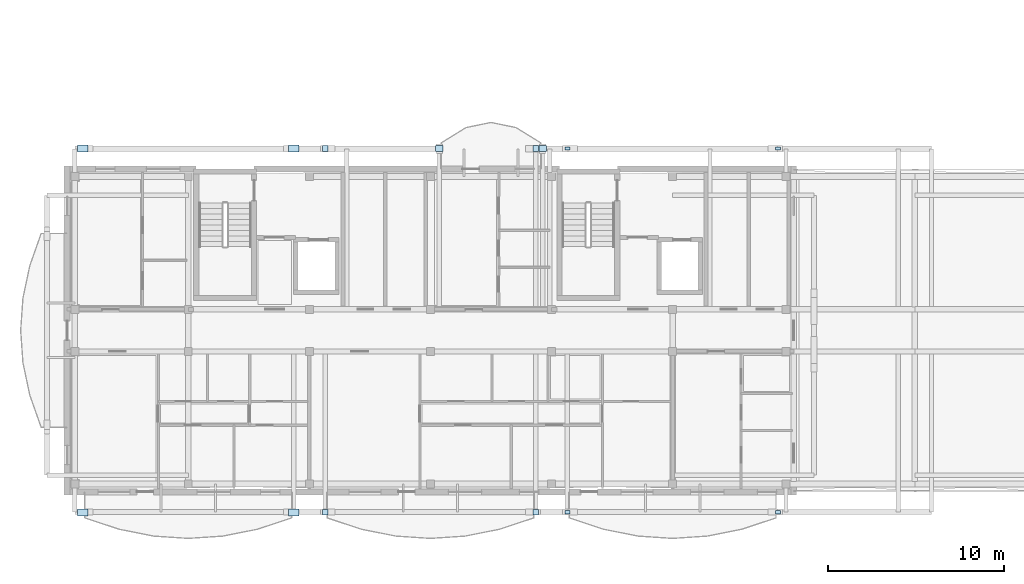
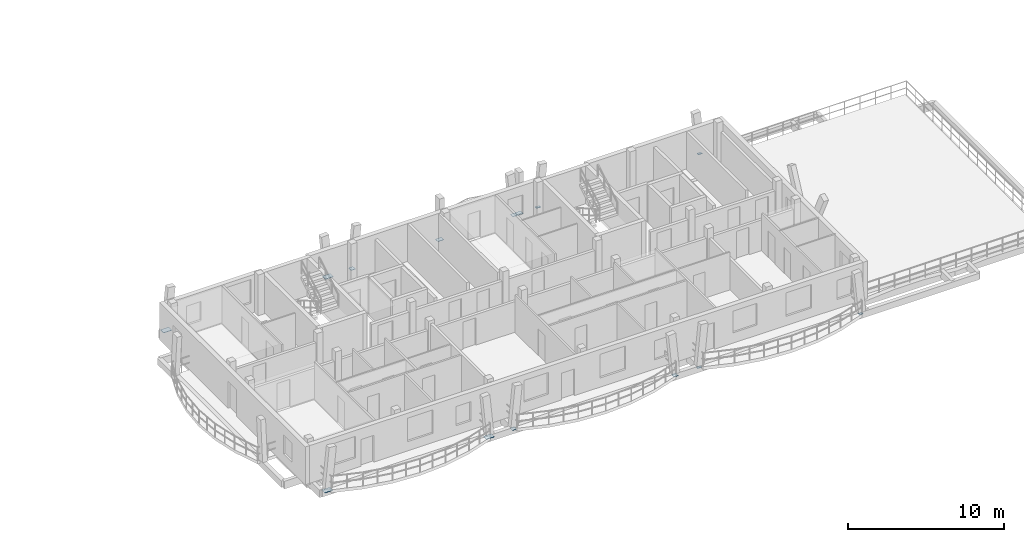
# One storey, part 10 of 33: 14 plates.
"""IFC4 building model written with IfcOpenShell, lengths in metres."""

import ifcopenshell
import ifcopenshell.guid

model = None  # the IFC model being written
_history = None  # IfcOwnerHistory: only IFC2X3 demands one
_inside = {}  # id of a spatial element -> (the spatial element, [elements in it])
_under = {}  # id of a project, library or spatial element -> (it, [spatial elements below it])
_declared = {}  # id of a project -> (the project, [libraries it declares])
_typed = {}  # id of a type object -> (the type object, [elements of that type])
_made_of = {}  # id of a material, layer set ... -> (it, [elements and type objects made of it])


def new_model(schema):
    """Start an empty IFC model of exactly this schema.

    Asked for "IFC4X3", IfcOpenShell would pick the latest addendum, in which some entities
    have other attributes; the version numbers below select the first issue.
    IFC2X3 requires an IfcOwnerHistory on every rooted entity: one is made here for all.
    """
    global model, _history
    if schema == "IFC4X3":
        model = ifcopenshell.file(schema_version=(4, 3, 0, 0))
    else:
        model = ifcopenshell.file(schema=schema)
    _inside.clear()
    _under.clear()
    _declared.clear()
    _typed.clear()
    _made_of.clear()
    _history = None
    if model.schema == "IFC2X3":
        org = make("IfcOrganization", Name="unknown")
        user = make(
            "IfcPersonAndOrganization",
            ThePerson=make("IfcPerson", FamilyName="unknown"),
            TheOrganization=org,
        )
        app = make(
            "IfcApplication",
            ApplicationDeveloper=org,
            Version="unknown",
            ApplicationFullName="unknown",
            ApplicationIdentifier="unknown",
        )
        _history = make(
            "IfcOwnerHistory",
            OwningUser=user,
            OwningApplication=app,
            ChangeAction="ADDED",
            CreationDate=0,
        )
    return model


def make(cls, **values):
    """One entity of the class cls with the attributes given. An attribute that is None is left unset."""
    return model.create_entity(
        cls, **{name: value for name, value in values.items() if value is not None}
    )


def rooted(cls, **values):
    """An entity with a GlobalId (a new one), such as an element, a storey or a relation."""
    return make(cls, GlobalId=ifcopenshell.guid.new(), OwnerHistory=_history, **values)


def si_unit(unit_type, name, prefix=None):
    """IfcSIUnit, for example si_unit("LENGTHUNIT", "METRE", prefix="MILLI")."""
    return make("IfcSIUnit", UnitType=unit_type, Prefix=prefix, Name=name)


def assignment(units):
    """IfcUnitAssignment: the units of a project."""
    return None if units is None else make("IfcUnitAssignment", Units=units)


def point(xyz):
    """IfcCartesianPoint."""
    return None if xyz is None else make("IfcCartesianPoint", Coordinates=xyz)


def direction(xyz):
    """IfcDirection."""
    return None if xyz is None else make("IfcDirection", DirectionRatios=xyz)


def frame(location, z_axis=None, x_axis=None):
    """IfcAxis2Placement3D, a coordinate frame: its origin and axes. An axis left out is left unset."""
    return make(
        "IfcAxis2Placement3D",
        Location=point(location),
        Axis=direction(z_axis),
        RefDirection=direction(x_axis),
    )


def frame_2d(location, x_axis=None):
    """IfcAxis2Placement2D, a coordinate frame in the plane: its origin and x axis."""
    return make(
        "IfcAxis2Placement2D", Location=point(location), RefDirection=direction(x_axis)
    )


def origin():
    """The frame at (0, 0, 0) with its axes left unset."""
    return frame((0.0, 0.0, 0.0))


def origin_2d():
    """The frame at (0, 0) in the plane with its x axis left unset."""
    return frame_2d((0.0, 0.0))


def place(relative_to, where):
    """IfcLocalPlacement: puts the frame where relative to a parent placement (None: the world)."""
    return make(
        "IfcLocalPlacement", PlacementRelTo=relative_to, RelativePlacement=where
    )


def context(
    kind, dimensions, precision=None, world=None, true_north=None, identifier=None
):
    """IfcGeometricRepresentationContext, for example the 3D "Model" context."""
    return make(
        "IfcGeometricRepresentationContext",
        ContextIdentifier=identifier,
        ContextType=kind,
        CoordinateSpaceDimension=dimensions,
        Precision=precision,
        WorldCoordinateSystem=world,
        TrueNorth=true_north,
    )


def subcontext(parent, identifier, kind, view, scale=None):
    """IfcGeometricRepresentationSubContext, for example "Body" below "Model"."""
    return make(
        "IfcGeometricRepresentationSubContext",
        ContextIdentifier=identifier,
        ContextType=kind,
        ParentContext=parent,
        TargetScale=scale,
        TargetView=view,
    )


def project(units=None, contexts=None):
    """IfcProject with its units and contexts."""
    return rooted(
        "IfcProject",
        Name="project",
        RepresentationContexts=contexts,
        UnitsInContext=assignment(units),
    )


def spatial(cls, under=None, at=None, **own):
    """A site, building, storey or space (cls), placed at a placement, below another one or the project."""
    s = rooted(cls, ObjectPlacement=at, **own)
    if under is not None:
        _under.setdefault(under.id(), (under, []))[1].append(s)
    return s


def profile(cls, at=None, kind="AREA", **sizes):
    """A parametric profile (cls). Its sizes go by their IFC names, for example OverallWidth=200.0."""
    return make(cls, ProfileType=kind, Position=at, **sizes)


def rectangle(**sizes):
    """IfcRectangleProfileDef."""
    return profile("IfcRectangleProfileDef", **sizes)


def extrude(swept, where, along, depth):
    """IfcExtrudedAreaSolid: the profile swept, set in the frame where, extruded along a direction by depth."""
    return make(
        "IfcExtrudedAreaSolid",
        SweptArea=swept,
        Position=where,
        ExtrudedDirection=direction(along),
        Depth=depth,
    )


def shape(context_of_items, identifier, shape_type, items):
    """IfcShapeRepresentation: the items that make up one representation, for example the "Body"."""
    return make(
        "IfcShapeRepresentation",
        ContextOfItems=context_of_items,
        RepresentationIdentifier=identifier,
        RepresentationType=shape_type,
        Items=items,
    )


def material(Name=None, Category=None):
    """IfcMaterial."""
    return make("IfcMaterial", Name=Name, Category=Category)


def layer(
    of_material, thickness, ventilated=None, Name=None, Category=None, Priority=None
):
    """IfcMaterialLayer: one layer of a wall or slab, of a material (None: an air gap)."""
    return make(
        "IfcMaterialLayer",
        Material=of_material,
        LayerThickness=thickness,
        IsVentilated=ventilated,
        Name=Name,
        Category=Category,
        Priority=Priority,
    )


def layer_set(layers, Name=None):
    """IfcMaterialLayerSet."""
    return make("IfcMaterialLayerSet", MaterialLayers=layers, LayerSetName=Name)


def made_of(thing, what):
    """Note that an element or type object is made of a material, layer set ...; save() writes the relation."""
    if what is not None:
        _made_of.setdefault(what.id(), (what, []))[1].append(thing)
    return thing


def type_object(cls, material=None, **own):
    """A type object (cls), such as IfcWallType, which elements share."""
    return made_of(rooted(cls, **own), material)


def element(
    cls,
    number,
    at=None,
    inside=None,
    cuts=None,
    type_object=None,
    material=None,
    context=None,
    identifier="Body",
    shape_type=None,
    held_by="IfcProductDefinitionShape",
    body=None,
    shapes=None,
    **own,
):
    """One element of the class cls, such as IfcWall. Its Tag is "e" and its number.

    at: its placement. inside: the storey or other place that contains it. cuts: it is an
    opening in that element (IfcRelVoidsElement). A single representation is given by context,
    identifier, shape_type and body (its items); several are given by shapes. held_by: the class
    of the entity that holds the representations. save() writes the other relations.
    """
    e = rooted(cls, Tag="e%d" % number, ObjectPlacement=at, **own)
    if body is not None:
        shapes = [shape(context, identifier, shape_type, body)]
    if shapes is not None:
        e.Representation = make(held_by, Representations=shapes)
    if inside is not None:
        _inside.setdefault(inside.id(), (inside, []))[1].append(e)
    if cuts is not None:
        rooted(
            "IfcRelVoidsElement", RelatingBuildingElement=cuts, RelatedOpeningElement=e
        )
    if type_object is not None:
        _typed.setdefault(type_object.id(), (type_object, []))[1].append(e)
    return made_of(e, material)


def aggregate(whole, parts):
    """IfcRelAggregates: a whole, such as a stair, and the parts it consists of."""
    return rooted("IfcRelAggregates", RelatingObject=whole, RelatedObjects=parts)


def save(model, path):
    """Write the relations noted so far, then the file.

    IfcRelAggregates (storeys below a building ...), IfcRelContainedInSpatialStructure (elements
    in a storey), IfcRelDefinesByType, IfcRelAssociatesMaterial and IfcRelDeclares: one each for
    every whole, place, type object, material and project.
    """
    for whole, parts in _under.values():
        aggregate(whole, parts)
    for where, things in _inside.values():
        rooted(
            "IfcRelContainedInSpatialStructure",
            RelatedElements=things,
            RelatingStructure=where,
        )
    for kind, things in _typed.values():
        rooted("IfcRelDefinesByType", RelatedObjects=things, RelatingType=kind)
    for what, things in _made_of.values():
        rooted("IfcRelAssociatesMaterial", RelatedObjects=things, RelatingMaterial=what)
    for by, libraries in _declared.values():
        rooted("IfcRelDeclares", RelatingContext=by, RelatedDefinitions=libraries)
    model.write(path)


model = new_model("IFC4")

# Units and contexts
model_context = context("Model", 3, precision=1e-05, world=origin(), true_north=direction((0.0, 1.0)))
body_context = subcontext(model_context, "Body", "Model", "MODEL_VIEW")
ifc_project = project(units=[si_unit("LENGTHUNIT", "METRE"), si_unit("AREAUNIT", "SQUARE_METRE"), si_unit("VOLUMEUNIT", "CUBIC_METRE"), si_unit("PLANEANGLEUNIT", "RADIAN"), si_unit("MASSUNIT", "GRAM", prefix="KILO")], contexts=[model_context])

# Site, building, storey
site_placement = place(None, origin())
site = spatial("IfcSite", under=ifc_project, at=site_placement, CompositionType="ELEMENT")
building_placement = place(site_placement, origin())
building = spatial("IfcBuilding", under=site, at=building_placement, Name="Zavelmont Quarter", CompositionType="ELEMENT")
storey_placement = place(building_placement, frame((0.0, 0.0, 30.39990234375)))
storey = spatial("IfcBuildingStorey", under=building, at=storey_placement, Name="L09", CompositionType="ELEMENT", Elevation=30.39990234375)

# Plates
ifc_material = material(Name="Steel S355", Category="steel")
ifc_layer_1 = layer(ifc_material, 0.02001953125)
ifc_layer_set_1 = layer_set([ifc_layer_1], Name="Steel S355")
plate_type_1 = type_object("IfcPlateType", Name="NP01", PredefinedType="SHEET", material=ifc_layer_set_1)
for number, where, z_axis, x_axis, name in (
    (1, (28.49658203125, -1.162109375, -0.2099609375), (0.0, 0.0, 1.0), (1.0, 0.0, 0.0), "L09 steel connection plate NP01 at 5/A"),
    (2, (40.50341796875, -1.162109375, -0.2099609375), (0.0, 0.0, 1.0), (1.0, 0.0, 0.0), "L09 steel connection plate NP01 at 7/A"),
    (3, (28.49658203125, 19.56201171875, -0.2099609375), (0.0, 0.0, 1.0), (1.0, 0.0, 0.0), "L09 steel connection plate NP01 at 5/D"),
    (4, (40.50341796875, 19.56201171875, -0.2099609375), (0.0, 0.0, 1.0), (1.0, 0.0, 0.0), "L09 steel connection plate NP01 at 7/D"),
):
    element("IfcPlate", number, at=place(storey_placement, frame(where, z_axis=z_axis, x_axis=x_axis)), inside=storey, type_object=plate_type_1, Name=name, PredefinedType="SHEET", context=body_context, shape_type="SweptSolid", body=[
        extrude(rectangle(XDim=0.280029296875, YDim=0.179931640625, at=origin_2d()), origin(), (0.0, 0.0, 1.0), 0.02001953125),
    ])
ifc_layer_2 = layer(ifc_material, 0.02490234375)
ifc_layer_set_2 = layer_set([ifc_layer_2], Name="Steel S355")
plate_type_2 = type_object("IfcPlateType", Name="NP03", PredefinedType="SHEET", material=ifc_layer_set_2)
for number, where, z_axis, x_axis, name in (
    (5, (21.199951171875, 19.56201171875, -0.21240234375), (0.0, 0.0, 1.0), (1.0, 0.0, 0.0), "L09 steel connection plate NP03 at 4/D"),
    (6, (27.10009765625, 19.56201171875, -0.21240234375), (0.0, 0.0, 1.0), (1.0, 0.0, 0.0), "L09 steel connection plate NP03 at 5/D"),
):
    element("IfcPlate", number, at=place(storey_placement, frame(where, z_axis=z_axis, x_axis=x_axis)), inside=storey, type_object=plate_type_2, Name=name, PredefinedType="SHEET", context=body_context, shape_type="SweptSolid", body=[
        extrude(rectangle(XDim=0.43994140625, YDim=0.320068359375, at=origin_2d()), origin(), (0.0, 0.0, 1.0), 0.02490234375),
    ])
ifc_layer_3 = layer(ifc_material, 0.030029296875)
ifc_layer_set_3 = layer_set([ifc_layer_3], Name="Steel S355")
plate_type_3 = type_object("IfcPlateType", Name="NP05", PredefinedType="SHEET", material=ifc_layer_set_3)
for number, where, z_axis, x_axis, name in (
    (7, (0.896484375, -1.162109375, -0.21484375), (0.0, 0.0, 1.0), (1.0, 0.0, 0.0), "L09 steel connection plate NP05 at 1/A"),
    (8, (12.9033203125, -1.162109375, -0.21484375), (0.0, 0.0, 1.0), (1.0, 0.0, 0.0), "L09 steel connection plate NP05 at 3/A"),
    (9, (0.896484375, 19.56201171875, -0.21484375), (0.0, 0.0, 1.0), (1.0, 0.0, 0.0), "L09 steel connection plate NP05 at 1/D"),
    (10, (12.9033203125, 19.56201171875, -0.21484375), (0.0, 0.0, 1.0), (1.0, 0.0, 0.0), "L09 steel connection plate NP05 at 3/D"),
):
    element("IfcPlate", number, at=place(storey_placement, frame(where, z_axis=z_axis, x_axis=x_axis)), inside=storey, type_object=plate_type_3, Name=name, PredefinedType="SHEET", context=body_context, shape_type="SweptSolid", body=[
        extrude(rectangle(XDim=0.60009765625, YDim=0.39990234375, at=origin_2d()), origin(), (0.0, 0.0, 1.0), 0.030029296875),
    ])
ifc_layer_4 = layer(ifc_material, 0.02197265625)
ifc_layer_set_4 = layer_set([ifc_layer_4], Name="Steel S355")
plate_type_4 = type_object("IfcPlateType", Name="NP06", PredefinedType="SHEET", material=ifc_layer_set_4)
for number, where, z_axis, x_axis, name in (
    (11, (14.696533203125, -1.162109375, -0.2109375), (0.0, 0.0, 1.0), (1.0, 0.0, 0.0), "L09 steel connection plate NP06 at 3/A"),
    (12, (26.703369140625, -1.162109375, -0.2109375), (0.0, 0.0, 1.0), (1.0, 0.0, 0.0), "L09 steel connection plate NP06 at 5/A"),
    (13, (14.696533203125, 19.56201171875, -0.2109375), (0.0, 0.0, 1.0), (1.0, 0.0, 0.0), "L09 steel connection plate NP06 at 3/D"),
    (14, (26.703369140625, 19.56201171875, -0.2109375), (0.0, 0.0, 1.0), (1.0, 0.0, 0.0), "L09 steel connection plate NP06 at 5/D"),
):
    element("IfcPlate", number, at=place(storey_placement, frame(where, z_axis=z_axis, x_axis=x_axis)), inside=storey, type_object=plate_type_4, Name=name, PredefinedType="SHEET", context=body_context, shape_type="SweptSolid", body=[
        extrude(rectangle(XDim=0.320068359375, YDim=0.320068359375, at=origin_2d()), origin(), (0.0, 0.0, 1.0), 0.02197265625),
    ])

save(model, "model.ifc")
